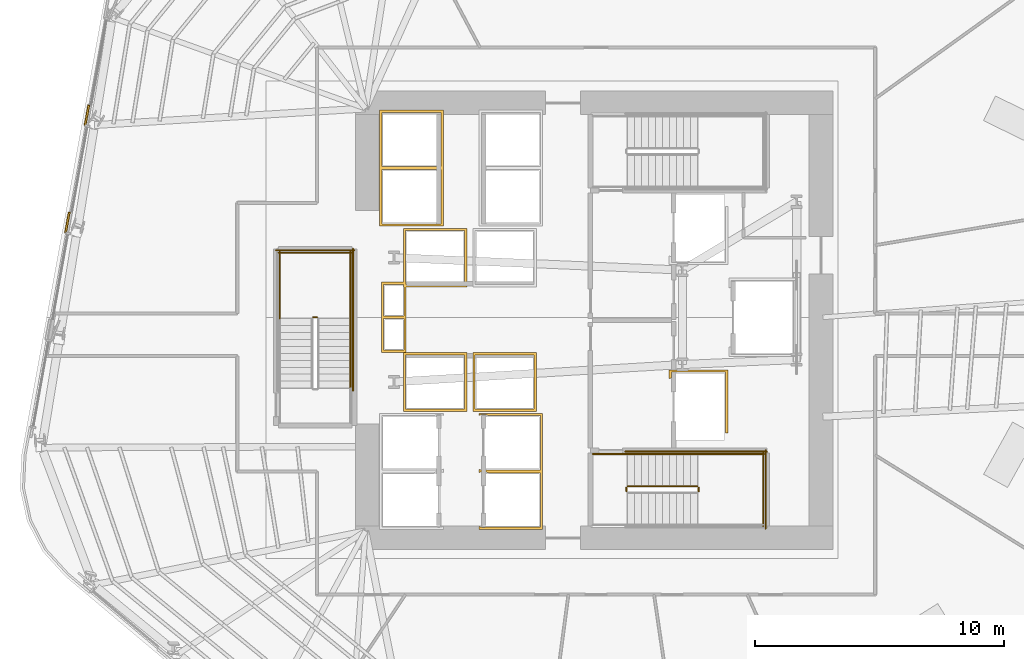
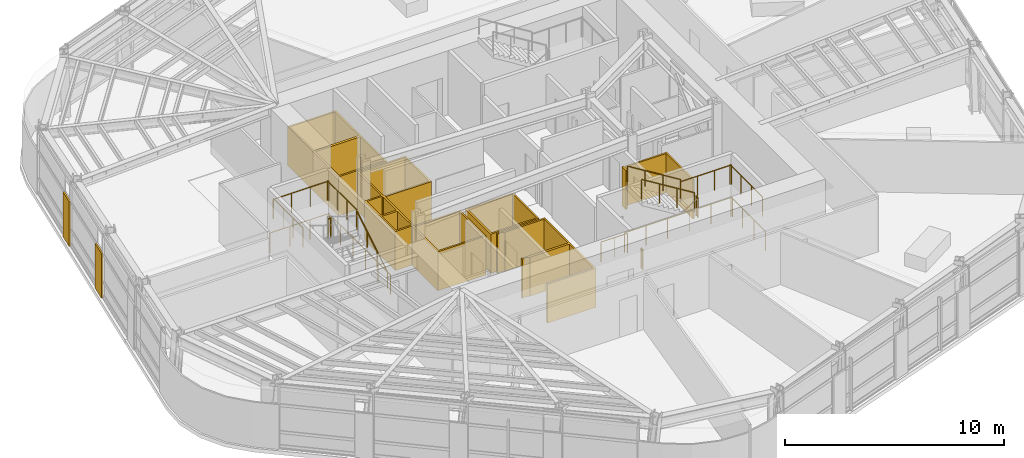
# One storey, part 14 of 18: 16 railings, 8 coverings.
"""IFC4 building model written with IfcOpenShell, lengths in metres."""

from ifc_helpers import new_model, si_unit, direction, frame, origin, origin_2d, place, context, subcontext, project, spatial, polyline, circle, outline, extrude, material, layer, layer_set, type_object, element, save


model = new_model("IFC4")

# Units and contexts
model_context = context("Model", 3, precision=1e-05, world=origin(), true_north=direction((0.0, 1.0)))
body_context = subcontext(model_context, "Body", "Model", "MODEL_VIEW")
ifc_project = project(units=[si_unit("LENGTHUNIT", "METRE"), si_unit("AREAUNIT", "SQUARE_METRE"), si_unit("VOLUMEUNIT", "CUBIC_METRE"), si_unit("PLANEANGLEUNIT", "RADIAN"), si_unit("MASSUNIT", "GRAM", prefix="KILO")], contexts=[model_context])

# Site, building, storey
site_placement = place(None, origin())
site = spatial("IfcSite", under=ifc_project, at=site_placement, CompositionType="ELEMENT")
building_placement = place(site_placement, origin())
building = spatial("IfcBuilding", under=site, at=building_placement, Name="Valkerne Bourse Tower", CompositionType="ELEMENT")
storey_placement = place(building_placement, frame((0.0, 0.0, 108.60009765625)))
storey = spatial("IfcBuildingStorey", under=building, at=storey_placement, Name="L27", CompositionType="ELEMENT", Elevation=108.60009765625)

# Coverings
ifc_material_1 = material(Name="Bronze Anodised Aluminium AA 6063-T6", Category="aluminium")
ifc_layer_1 = layer(ifc_material_1, 0.06005859375)
ifc_layer_set_1 = layer_set([ifc_layer_1], Name="Bronze Anodised Aluminium AA 6063-T6")
covering_type_1 = type_object("IfcCoveringType", Name="COV-CRN-ALUM", PredefinedType="CLADDING", material=ifc_layer_set_1)
covering_1_placement = place(storey_placement, origin())
element("IfcCovering", 1, at=covering_1_placement, inside=storey, type_object=covering_type_1, Name="L27 Wind-Shaped Corner Aluminium Cladding 11", PredefinedType="CLADDING", context=body_context, shape_type="SweptSolid", body=[
    extrude(outline(polyline([(25.6455078125, 31.233154296875), (25.72412109375, 31.218994140625), (25.573486328125, 30.392578125), (25.494873046875, 30.40673828125), (25.6455078125, 31.233154296875)])), origin(), (0.0, 0.0, 1.0), 2.5),
])
covering_2_placement = place(storey_placement, origin())
element("IfcCovering", 2, at=covering_2_placement, inside=storey, type_object=covering_type_1, Name="L27 Wind-Shaped Corner Aluminium Cladding 12", PredefinedType="CLADDING", context=body_context, shape_type="SweptSolid", body=[
    extrude(outline(polyline([(26.4306640625, 35.545166015625), (26.509521484375, 35.531005859375), (26.35888671875, 34.70458984375), (26.2802734375, 34.718505859375), (26.4306640625, 35.545166015625)])), origin(), (0.0, 0.0, 1.0), 2.5),
])
ifc_material_2 = material(Name="Gypsum Shaftwall Liner Board", Category="gypsum")
ifc_layer_2 = layer(ifc_material_2, 0.080078125)
ifc_layer_set_2 = layer_set([ifc_layer_2], Name="Gypsum Shaftwall Liner Board")
covering_type_2 = type_object("IfcCoveringType", Name="COV-SHF-CLAD", PredefinedType="CLADDING", material=ifc_layer_set_2)
covering_3_placement = place(storey_placement, origin())
element("IfcCovering", 3, at=covering_3_placement, inside=storey, type_object=covering_type_2, Name="L27 Hoistway & Riser Shaftwall Liner 02", PredefinedType="CLADDING", context=body_context, shape_type="SweptSolid", body=[
    extrude(outline(polyline([(41.679931640625, 23.219970703125), (39.1201171875, 23.219970703125), (39.1201171875, 25.580078125), (41.679931640625, 25.580078125), (41.679931640625, 23.219970703125)]), holes=[polyline([(39.2099609375, 25.489990234375), (39.2099609375, 23.31005859375), (41.590087890625, 23.31005859375), (41.590087890625, 25.489990234375), (39.2099609375, 25.489990234375)])]), origin(), (0.0, 0.0, 1.0), 2.179931640625),
])
covering_4_placement = place(storey_placement, origin())
element("IfcCovering", 4, at=covering_4_placement, inside=storey, type_object=covering_type_2, Name="L27 Hoistway & Riser Shaftwall Liner 03", PredefinedType="CLADDING", context=body_context, shape_type="SweptSolid", body=[
    extrude(outline(polyline([(44.47998046875, 23.219970703125), (41.919921875, 23.219970703125), (41.919921875, 25.580078125), (44.47998046875, 25.580078125), (44.47998046875, 23.219970703125)]), holes=[polyline([(42.010009765625, 25.489990234375), (42.010009765625, 23.31005859375), (44.389892578125, 23.31005859375), (44.389892578125, 25.489990234375), (42.010009765625, 25.489990234375)])]), origin(), (0.0, 0.0, 1.0), 2.179931640625),
])
covering_5_placement = place(storey_placement, origin())
element("IfcCovering", 5, at=covering_5_placement, inside=storey, type_object=covering_type_2, Name="L27 Hoistway & Riser Shaftwall Liner 04", PredefinedType="CLADDING", context=body_context, shape_type="SweptSolid", body=[
    extrude(outline(polyline([(38.239990234375, 28.409912109375), (39.1201171875, 28.409912109375), (39.1201171875, 30.580078125), (41.679931640625, 30.580078125), (41.679931640625, 28.219970703125), (39.239990234375, 28.219970703125), (39.239990234375, 27.0400390625), (39.239990234375, 26.9599609375), (39.239990234375, 25.590087890625), (38.239990234375, 25.590087890625), (38.239990234375, 26.9599609375), (38.239990234375, 27.0400390625), (38.239990234375, 28.409912109375)]), holes=[polyline([(39.2099609375, 30.489990234375), (39.2099609375, 28.409912109375), (39.239990234375, 28.409912109375), (39.239990234375, 28.31005859375), (41.590087890625, 28.31005859375), (41.590087890625, 30.489990234375), (39.2099609375, 30.489990234375)]), polyline([(38.330078125, 26.949951171875), (38.330078125, 25.679931640625), (39.14990234375, 25.679931640625), (39.14990234375, 26.949951171875), (38.330078125, 26.949951171875)]), polyline([(39.1201171875, 28.219970703125), (39.1201171875, 28.320068359375), (38.330078125, 28.320068359375), (38.330078125, 27.050048828125), (39.14990234375, 27.050048828125), (39.14990234375, 28.219970703125), (39.1201171875, 28.219970703125)])]), origin(), (0.0, 0.0, 1.0), 2.179931640625),
])
covering_6_placement = place(storey_placement, origin())
element("IfcCovering", 6, at=covering_6_placement, inside=storey, type_object=covering_type_2, Name="L27 Hoistway & Riser Shaftwall Liner 05", PredefinedType="CLADDING", context=body_context, shape_type="SweptSolid", body=[
    extrude(outline(polyline([(38.169921875, 35.330078125), (40.72998046875, 35.330078125), (40.72998046875, 33.030029296875), (40.72998046875, 32.969970703125), (40.72998046875, 30.669921875), (38.169921875, 30.669921875), (38.169921875, 32.969970703125), (38.169921875, 33.030029296875), (38.169921875, 35.330078125)]), holes=[polyline([(38.260009765625, 32.93994140625), (38.260009765625, 30.760009765625), (40.639892578125, 30.760009765625), (40.639892578125, 32.93994140625), (38.260009765625, 32.93994140625)]), polyline([(38.260009765625, 35.239990234375), (38.260009765625, 33.06005859375), (40.639892578125, 33.06005859375), (40.639892578125, 35.239990234375), (38.260009765625, 35.239990234375)])]), origin(), (0.0, 0.0, 1.0), 2.179931640625),
])
covering_7_placement = place(storey_placement, origin())
element("IfcCovering", 7, at=covering_7_placement, inside=storey, type_object=covering_type_2, Name="L27 Hoistway & Riser Shaftwall Liner 06", PredefinedType="CLADDING", context=body_context, shape_type="SweptSolid", body=[
    extrude(outline(polyline([(42.169921875, 20.830078125), (42.169921875, 20.887939453125), (42.177734375, 20.88427734375), (42.219482421875, 20.869384765625), (42.26220703125, 20.858642578125), (42.305908203125, 20.852294921875), (42.35009765625, 20.85009765625), (42.39404296875, 20.852294921875), (42.437744140625, 20.858642578125), (42.443115234375, 20.860107421875), (44.639892578125, 20.860107421875), (44.639892578125, 23.0400390625), (42.555419921875, 23.0400390625), (42.522216796875, 23.0556640625), (42.480712890625, 23.070556640625), (42.437744140625, 23.081298828125), (42.39404296875, 23.087890625), (42.35009765625, 23.090087890625), (42.305908203125, 23.087890625), (42.26220703125, 23.081298828125), (42.219482421875, 23.070556640625), (42.177734375, 23.0556640625), (42.169921875, 23.052001953125), (42.169921875, 23.1298828125), (44.72998046875, 23.1298828125), (44.72998046875, 20.830078125), (44.72998046875, 20.77001953125), (44.72998046875, 18.469970703125), (42.169921875, 18.469970703125), (42.169921875, 18.587890625), (42.177734375, 18.584228515625), (42.219482421875, 18.5693359375), (42.26220703125, 18.55859375), (42.305908203125, 18.55224609375), (42.35009765625, 18.550048828125), (42.39404296875, 18.55224609375), (42.437744140625, 18.55859375), (42.443115234375, 18.56005859375), (44.639892578125, 18.56005859375), (44.639892578125, 20.739990234375), (42.555419921875, 20.739990234375), (42.522216796875, 20.755615234375), (42.480712890625, 20.7705078125), (42.437744140625, 20.781494140625), (42.39404296875, 20.787841796875), (42.35009765625, 20.7900390625), (42.305908203125, 20.787841796875), (42.26220703125, 20.781494140625), (42.219482421875, 20.7705078125), (42.177734375, 20.755615234375), (42.169921875, 20.752197265625), (42.169921875, 20.77001953125), (42.169921875, 20.830078125)])), origin(), (0.0, 0.0, 1.0), 2.179931640625),
])
covering_8_placement = place(storey_placement, origin())
element("IfcCovering", 8, at=covering_8_placement, inside=storey, type_object=covering_type_2, Name="L27 Hoistway & Riser Shaftwall Liner 07", PredefinedType="CLADDING", context=body_context, shape_type="SweptSolid", body=[
    extrude(outline(polyline([(52.179931640625, 22.35009765625), (52.090087890625, 22.35009765625), (52.090087890625, 24.7900390625), (49.909912109375, 24.7900390625), (49.909912109375, 24.560791015625), (49.869384765625, 24.550537109375), (49.827880859375, 24.53564453125), (49.820068359375, 24.531982421875), (49.820068359375, 24.8798828125), (52.179931640625, 24.8798828125), (52.179931640625, 22.35009765625)])), origin(), (0.0, 0.0, 1.0), 2.179931640625),
])

# Railings
ifc_material_3 = material(Name="Galvanised Painted Steel", Category="steel")
railing_type_1 = type_object("IfcRailingType", Name="RLG-ST-GUARD-1120", PredefinedType="GUARDRAIL", material=ifc_material_3)
railing_1_placement = place(storey_placement, frame((51.0, 20.0, 1.89990234375)))
element("IfcRailing", 9, at=railing_1_placement, inside=storey, type_object=railing_type_1, Name="L27 ST-1 stair guard 2", PredefinedType="GUARDRAIL", context=body_context, shape_type="SweptSolid", body=[
    extrude(circle(Radius=0.02392578125, at=origin_2d()), frame((0.0, 0.0, 1.09619140625), z_axis=(0.0, 1.0, 0.0), x_axis=(-1.0, 0.0, 0.0)), (0.0, 0.0, 1.0), 0.14990234375),
    extrude(circle(Radius=0.02099609375, at=origin_2d()), origin(), (0.0, 0.0, 1.0), 1.072021484375),
    extrude(circle(Radius=0.02099609375, at=origin_2d()), frame((0.0, 0.14990234375, 0.0)), (0.0, 0.0, 1.0), 1.072021484375),
])
railing_2_placement = place(storey_placement, frame((50.949951171875, 21.5, 1.89990234375)))
element("IfcRailing", 10, at=railing_2_placement, inside=storey, type_object=railing_type_1, Name="L27 ST-1 stair guard 4", PredefinedType="GUARDRAIL", context=body_context, shape_type="SweptSolid", body=[
    extrude(circle(Radius=0.02392578125, at=origin_2d()), frame((0.0, 0.0, 1.09619140625), z_axis=(1.0, 0.0, 0.0), x_axis=(0.0, 1.0, 0.0)), (0.0, 0.0, 1.0), 2.699951171875),
    extrude(circle(Radius=0.02099609375, at=origin_2d()), origin(), (0.0, 0.0, 1.0), 1.072021484375),
    extrude(circle(Radius=0.02099609375, at=origin_2d()), frame((0.89990234375, 0.0, 0.0)), (0.0, 0.0, 1.0), 1.072021484375),
    extrude(circle(Radius=0.02099609375, at=origin_2d()), frame((1.800048828125, 0.0, 0.0)), (0.0, 0.0, 1.0), 1.072021484375),
    extrude(circle(Radius=0.02099609375, at=origin_2d()), frame((2.699951171875, 0.0, 0.0)), (0.0, 0.0, 1.0), 1.072021484375),
])
railing_3_placement = place(storey_placement, frame((53.60009765625, 18.60009765625, 1.89990234375)))
element("IfcRailing", 11, at=railing_3_placement, inside=storey, type_object=railing_type_1, Name="L27 ST-1 stair guard 5", PredefinedType="GUARDRAIL", context=body_context, shape_type="SweptSolid", body=[
    extrude(circle(Radius=0.02392578125, at=origin_2d()), frame((0.0, 0.0, 1.09619140625), z_axis=(0.0, 1.0, 0.0), x_axis=(-1.0, 0.0, 0.0)), (0.0, 0.0, 1.0), 2.949951171875),
    extrude(circle(Radius=0.02099609375, at=origin_2d()), origin(), (0.0, 0.0, 1.0), 1.072021484375),
    extrude(circle(Radius=0.02099609375, at=origin_2d()), frame((0.0, 0.9833984375, 0.0)), (0.0, 0.0, 1.0), 1.072021484375),
    extrude(circle(Radius=0.02099609375, at=origin_2d()), frame((0.0, 1.966552734375, 0.0)), (0.0, 0.0, 1.0), 1.072021484375),
    extrude(circle(Radius=0.02099609375, at=origin_2d()), frame((0.0, 2.949951171875, 0.0)), (0.0, 0.0, 1.0), 1.072021484375),
])
railing_4_placement = place(storey_placement, frame((50.949951171875, 20.199951171875, 2.072509765625)))
element("IfcRailing", 12, at=railing_4_placement, inside=storey, type_object=railing_type_1, Name="L27 ST-1 stair guard 6", PredefinedType="GUARDRAIL", context=body_context, shape_type="SweptSolid", body=[
    extrude(circle(Radius=0.02392578125, at=origin_2d()), frame((0.0, 0.0, 1.09619140625), z_axis=(-0.851089632645, 0.0, 0.525020415988), x_axis=(0.0, -1.0, 0.0)), (0.0, 0.0, 1.0), 3.2900390625),
    extrude(circle(Radius=0.02099609375, at=origin_2d()), origin(), (0.0, 0.0, 1.0), 1.072021484375),
    extrude(circle(Radius=0.02099609375, at=origin_2d()), frame((-0.933349609375, 0.0, 0.57568359375)), (0.0, 0.0, 1.0), 1.072021484375),
    extrude(circle(Radius=0.02099609375, at=origin_2d()), frame((-1.86669921875, 0.0, 1.151611328125)), (0.0, 0.0, 1.0), 1.072021484375),
    extrude(circle(Radius=0.02099609375, at=origin_2d()), frame((-2.800048828125, 0.0, 1.727294921875)), (0.0, 0.0, 1.0), 1.072021484375),
])
railing_5_placement = place(storey_placement, frame((48.10009765625, 20.0, 0.0)))
element("IfcRailing", 13, at=railing_5_placement, inside=storey, type_object=railing_type_1, Name="L27 ST-1 stair guard 7", PredefinedType="GUARDRAIL", context=body_context, shape_type="SweptSolid", body=[
    extrude(circle(Radius=0.02392578125, at=origin_2d()), frame((0.0, 0.0, 1.09619140625), z_axis=(0.0, 1.0, 0.0), x_axis=(-1.0, 0.0, 0.0)), (0.0, 0.0, 1.0), 0.14990234375),
    extrude(circle(Radius=0.02099609375, at=origin_2d()), origin(), (0.0, 0.0, 1.0), 1.072021484375),
    extrude(circle(Radius=0.02099609375, at=origin_2d()), frame((0.0, 0.14990234375, 0.0)), (0.0, 0.0, 1.0), 1.072021484375),
])
railing_6_placement = place(storey_placement, frame((46.75, 21.5, 0.0)))
element("IfcRailing", 14, at=railing_6_placement, inside=storey, type_object=railing_type_1, Name="L27 ST-1 stair guard 9", PredefinedType="GUARDRAIL", context=body_context, shape_type="SweptSolid", body=[
    extrude(circle(Radius=0.02392578125, at=origin_2d()), frame((0.0, 0.0, 1.09619140625), z_axis=(1.0, 0.0, 0.0), x_axis=(0.0, 1.0, 0.0)), (0.0, 0.0, 1.0), 1.39990234375),
    extrude(circle(Radius=0.02099609375, at=origin_2d()), origin(), (0.0, 0.0, 1.0), 1.072021484375),
    extrude(circle(Radius=0.02099609375, at=origin_2d()), frame((0.699951171875, 0.0, 0.0)), (0.0, 0.0, 1.0), 1.072021484375),
    extrude(circle(Radius=0.02099609375, at=origin_2d()), frame((1.39990234375, 0.0, 0.0)), (0.0, 0.0, 1.0), 1.072021484375),
])
railing_7_placement = place(storey_placement, frame((48.050048828125, 21.60009765625, 0.0)))
element("IfcRailing", 15, at=railing_7_placement, inside=storey, type_object=railing_type_1, Name="L27 ST-1 stair guard 11", PredefinedType="GUARDRAIL", context=body_context, shape_type="SweptSolid", body=[
    extrude(circle(Radius=0.02392578125, at=origin_2d()), frame((0.0, 0.0, 1.09619140625), z_axis=(1.0, 0.0, 0.0), x_axis=(0.0, 1.0, 0.0)), (0.0, 0.0, 1.0), 5.699951171875),
    extrude(circle(Radius=0.02099609375, at=origin_2d()), origin(), (0.0, 0.0, 1.0), 1.072021484375),
    extrude(circle(Radius=0.02099609375, at=origin_2d()), frame((1.139892578125, 0.0, 0.0)), (0.0, 0.0, 1.0), 1.072021484375),
    extrude(circle(Radius=0.02099609375, at=origin_2d()), frame((2.280029296875, 0.0, 0.0)), (0.0, 0.0, 1.0), 1.072021484375),
    extrude(circle(Radius=0.02099609375, at=origin_2d()), frame((3.419921875, 0.0, 0.0)), (0.0, 0.0, 1.0), 1.072021484375),
    extrude(circle(Radius=0.02099609375, at=origin_2d()), frame((4.56005859375, 0.0, 0.0)), (0.0, 0.0, 1.0), 1.072021484375),
    extrude(circle(Radius=0.02099609375, at=origin_2d()), frame((5.699951171875, 0.0, 0.0)), (0.0, 0.0, 1.0), 1.072021484375),
])
railing_8_placement = place(storey_placement, frame((53.699951171875, 18.5, 0.0)))
element("IfcRailing", 16, at=railing_8_placement, inside=storey, type_object=railing_type_1, Name="L27 ST-1 stair guard 12", PredefinedType="GUARDRAIL", context=body_context, shape_type="SweptSolid", body=[
    extrude(circle(Radius=0.02392578125, at=origin_2d()), frame((0.0, 0.0, 1.09619140625), z_axis=(0.0, 1.0, 0.0), x_axis=(-1.0, 0.0, 0.0)), (0.0, 0.0, 1.0), 3.14990234375),
    extrude(circle(Radius=0.02099609375, at=origin_2d()), origin(), (0.0, 0.0, 1.0), 1.072021484375),
    extrude(circle(Radius=0.02099609375, at=origin_2d()), frame((0.0, 1.050048828125, 0.0)), (0.0, 0.0, 1.0), 1.072021484375),
    extrude(circle(Radius=0.02099609375, at=origin_2d()), frame((0.0, 2.099853515625, 0.0)), (0.0, 0.0, 1.0), 1.072021484375),
    extrude(circle(Radius=0.02099609375, at=origin_2d()), frame((0.0, 3.14990234375, 0.0)), (0.0, 0.0, 1.0), 1.072021484375),
])
railing_9_placement = place(storey_placement, frame((35.64990234375, 27.0, 1.89990234375)))
element("IfcRailing", 17, at=railing_9_placement, inside=storey, type_object=railing_type_1, Name="L27 ST-3 stair guard 2", PredefinedType="GUARDRAIL", context=body_context, shape_type="SweptSolid", body=[
    extrude(circle(Radius=0.02392578125, at=origin_2d()), frame((0.0, 0.0, 1.09619140625), z_axis=(-1.0, 0.0, 0.0), x_axis=(0.0, -1.0, 0.0)), (0.0, 0.0, 1.0), 0.14990234375),
    extrude(circle(Radius=0.02099609375, at=origin_2d()), origin(), (0.0, 0.0, 1.0), 1.072021484375),
    extrude(circle(Radius=0.02099609375, at=origin_2d()), frame((-0.14990234375, 0.0, 0.0)), (0.0, 0.0, 1.0), 1.072021484375),
])
for number, where, name in (
    (18, (37.0, 26.949951171875, 1.89990234375), "L27 ST-3 stair guard 3"),
    (19, (34.14990234375, 26.949951171875, 1.89990234375), "L27 ST-3 stair guard 4"),
):
    element("IfcRailing", number, at=place(storey_placement, frame(where)), inside=storey, type_object=railing_type_1, Name=name, PredefinedType="GUARDRAIL", context=body_context, shape_type="SweptSolid", body=[
        extrude(circle(Radius=0.02392578125, at=origin_2d()), frame((0.0, 0.0, 1.09619140625), z_axis=(0.0, 1.0, 0.0), x_axis=(-1.0, 0.0, 0.0)), (0.0, 0.0, 1.0), 2.699951171875),
        extrude(circle(Radius=0.02099609375, at=origin_2d()), origin(), (0.0, 0.0, 1.0), 1.072021484375),
        extrude(circle(Radius=0.02099609375, at=origin_2d()), frame((0.0, 0.89990234375, 0.0)), (0.0, 0.0, 1.0), 1.072021484375),
        extrude(circle(Radius=0.02099609375, at=origin_2d()), frame((0.0, 1.800048828125, 0.0)), (0.0, 0.0, 1.0), 1.072021484375),
        extrude(circle(Radius=0.02099609375, at=origin_2d()), frame((0.0, 2.699951171875, 0.0)), (0.0, 0.0, 1.0), 1.072021484375),
    ])
railing_10_placement = place(storey_placement, frame((37.050048828125, 29.60009765625, 1.89990234375)))
element("IfcRailing", 20, at=railing_10_placement, inside=storey, type_object=railing_type_1, Name="L27 ST-3 stair guard 5", PredefinedType="GUARDRAIL", context=body_context, shape_type="SweptSolid", body=[
    extrude(circle(Radius=0.02392578125, at=origin_2d()), frame((0.0, 0.0, 1.09619140625), z_axis=(-1.0, 0.0, 0.0), x_axis=(0.0, -1.0, 0.0)), (0.0, 0.0, 1.0), 2.949951171875),
    extrude(circle(Radius=0.02099609375, at=origin_2d()), origin(), (0.0, 0.0, 1.0), 1.072021484375),
    extrude(circle(Radius=0.02099609375, at=origin_2d()), frame((-0.9833984375, 0.0, 0.0)), (0.0, 0.0, 1.0), 1.072021484375),
    extrude(circle(Radius=0.02099609375, at=origin_2d()), frame((-1.966552734375, 0.0, 0.0)), (0.0, 0.0, 1.0), 1.072021484375),
    extrude(circle(Radius=0.02099609375, at=origin_2d()), frame((-2.949951171875, 0.0, 0.0)), (0.0, 0.0, 1.0), 1.072021484375),
])
railing_11_placement = place(storey_placement, frame((37.10009765625, 24.050048828125, 0.0)))
element("IfcRailing", 21, at=railing_11_placement, inside=storey, type_object=railing_type_1, Name="L27 ST-3 stair guard 10", PredefinedType="GUARDRAIL", context=body_context, shape_type="SweptSolid", body=[
    extrude(circle(Radius=0.02392578125, at=origin_2d()), frame((0.0, 0.0, 1.09619140625), z_axis=(0.0, 1.0, 0.0), x_axis=(-1.0, 0.0, 0.0)), (0.0, 0.0, 1.0), 5.699951171875),
    extrude(circle(Radius=0.02099609375, at=origin_2d()), origin(), (0.0, 0.0, 1.0), 1.072021484375),
    extrude(circle(Radius=0.02099609375, at=origin_2d()), frame((0.0, 1.139892578125, 0.0)), (0.0, 0.0, 1.0), 1.072021484375),
    extrude(circle(Radius=0.02099609375, at=origin_2d()), frame((0.0, 2.280029296875, 0.0)), (0.0, 0.0, 1.0), 1.072021484375),
    extrude(circle(Radius=0.02099609375, at=origin_2d()), frame((0.0, 3.419921875, 0.0)), (0.0, 0.0, 1.0), 1.072021484375),
    extrude(circle(Radius=0.02099609375, at=origin_2d()), frame((0.0, 4.56005859375, 0.0)), (0.0, 0.0, 1.0), 1.072021484375),
    extrude(circle(Radius=0.02099609375, at=origin_2d()), frame((0.0, 5.699951171875, 0.0)), (0.0, 0.0, 1.0), 1.072021484375),
])
railing_12_placement = place(storey_placement, frame((37.14990234375, 29.699951171875, 0.0)))
element("IfcRailing", 22, at=railing_12_placement, inside=storey, type_object=railing_type_1, Name="L27 ST-3 stair guard 12", PredefinedType="GUARDRAIL", context=body_context, shape_type="SweptSolid", body=[
    extrude(circle(Radius=0.02392578125, at=origin_2d()), frame((0.0, 0.0, 1.09619140625), z_axis=(-1.0, 0.0, 0.0), x_axis=(0.0, -1.0, 0.0)), (0.0, 0.0, 1.0), 3.14990234375),
    extrude(circle(Radius=0.02099609375, at=origin_2d()), origin(), (0.0, 0.0, 1.0), 1.072021484375),
    extrude(circle(Radius=0.02099609375, at=origin_2d()), frame((-1.050048828125, 0.0, 0.0)), (0.0, 0.0, 1.0), 1.072021484375),
    extrude(circle(Radius=0.02099609375, at=origin_2d()), frame((-2.099853515625, 0.0, 0.0)), (0.0, 0.0, 1.0), 1.072021484375),
    extrude(circle(Radius=0.02099609375, at=origin_2d()), frame((-3.14990234375, 0.0, 0.0)), (0.0, 0.0, 1.0), 1.072021484375),
])
ifc_material_4 = material(Name="Stainless Steel AISI 316", Category="steel")
railing_type_2 = type_object("IfcRailingType", Name="RLG-ST-HANDRAIL-900", PredefinedType="HANDRAIL", material=ifc_material_4)
railing_13_placement = place(storey_placement, frame((50.949951171875, 21.5, 2.245361328125)))
element("IfcRailing", 23, at=railing_13_placement, inside=storey, type_object=railing_type_2, Name="L27 ST-1 stair handrail 2", PredefinedType="HANDRAIL", context=body_context, shape_type="SweptSolid", body=[
    extrude(circle(Radius=0.02392578125, at=origin_2d()), frame((0.0, 0.0, 0.8759765625), z_axis=(-0.851089632645, 0.0, 0.525020415988), x_axis=(0.0, -1.0, 0.0)), (0.0, 0.0, 1.0), 3.2900390625),
    extrude(circle(Radius=0.02099609375, at=origin_2d()), origin(), (0.0, 0.0, 1.0), 0.851806640625),
    extrude(circle(Radius=0.02099609375, at=origin_2d()), frame((-0.933349609375, 0.0, 0.57568359375)), (0.0, 0.0, 1.0), 0.851806640625),
    extrude(circle(Radius=0.02099609375, at=origin_2d()), frame((-1.86669921875, 0.0, 1.151611328125)), (0.0, 0.0, 1.0), 0.851806640625),
    extrude(circle(Radius=0.02099609375, at=origin_2d()), frame((-2.800048828125, 0.0, 1.727294921875)), (0.0, 0.0, 1.0), 0.851806640625),
])
railing_14_placement = place(storey_placement, frame((37.0, 24.14990234375, 0.345458984375)))
element("IfcRailing", 24, at=railing_14_placement, inside=storey, type_object=railing_type_2, Name="L27 ST-3 stair handrail 1", PredefinedType="HANDRAIL", context=body_context, shape_type="SweptSolid", body=[
    extrude(circle(Radius=0.02392578125, at=origin_2d()), frame((0.0, 0.0, 0.8759765625), z_axis=(0.0, 0.851122791225, 0.524966660138), x_axis=(-1.0, 0.0, 0.0)), (0.0, 0.0, 1.0), 3.289794921875),
    extrude(circle(Radius=0.02099609375, at=origin_2d()), origin(), (0.0, 0.0, 1.0), 0.851806640625),
    extrude(circle(Radius=0.02099609375, at=origin_2d()), frame((0.0, 0.933349609375, 0.57568359375)), (0.0, 0.0, 1.0), 0.851806640625),
    extrude(circle(Radius=0.02099609375, at=origin_2d()), frame((0.0, 1.86669921875, 1.1513671875)), (0.0, 0.0, 1.0), 0.851806640625),
    extrude(circle(Radius=0.02099609375, at=origin_2d()), frame((0.0, 2.800048828125, 1.72705078125)), (0.0, 0.0, 1.0), 0.851806640625),
])

save(model, "model.ifc")
